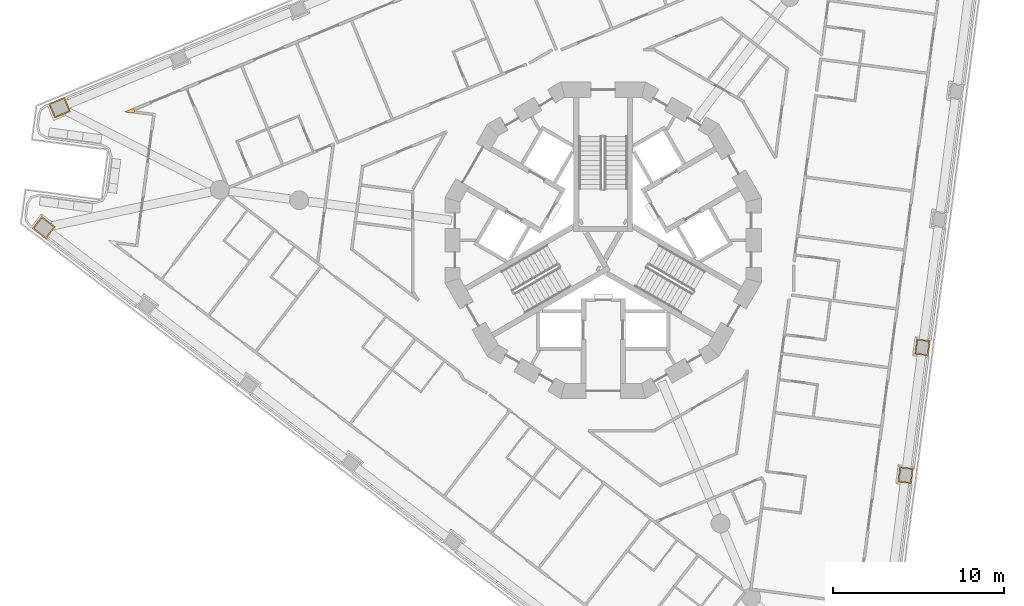
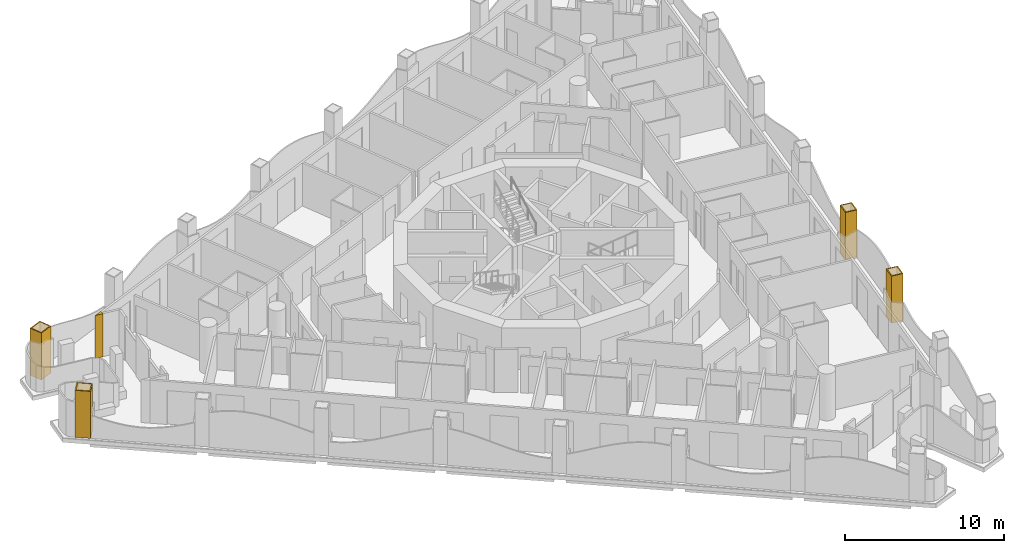
# One storey, part 14 of 17: 5 coverings.
"""IFC4 building model written with IfcOpenShell, lengths in metres."""

from ifc_helpers import new_model, si_unit, direction, frame, origin, place, context, subcontext, project, spatial, polyline, outline, extrude, material, layer, layer_set, type_object, element, save


model = new_model("IFC4")

# Units and contexts
model_context = context("Model", 3, precision=1e-05, world=origin(), true_north=direction((0.0, 1.0)))
body_context = subcontext(model_context, "Body", "Model", "MODEL_VIEW")
ifc_project = project(units=[si_unit("LENGTHUNIT", "METRE"), si_unit("AREAUNIT", "SQUARE_METRE"), si_unit("VOLUMEUNIT", "CUBIC_METRE"), si_unit("PLANEANGLEUNIT", "RADIAN"), si_unit("MASSUNIT", "GRAM", prefix="KILO")], contexts=[model_context])

# Site, building, storey
site_placement = place(None, origin())
site = spatial("IfcSite", under=ifc_project, at=site_placement, CompositionType="ELEMENT")
building_placement = place(site_placement, origin())
building = spatial("IfcBuilding", under=site, at=building_placement, Name="Trine Commons Tower", CompositionType="ELEMENT")
storey_placement = place(building_placement, frame((0.0, 0.0, 131.39990234375)))
storey = spatial("IfcBuildingStorey", under=building, at=storey_placement, Name="L33", CompositionType="ELEMENT", Elevation=131.39990234375)

# Coverings
ifc_material_1 = material(Name="Aluminium-framed insulated wall panel", Category="aluminium")
ifc_layer_1 = layer(ifc_material_1, 0.14990234375)
ifc_layer_set_1 = layer_set([ifc_layer_1], Name="Aluminium-framed insulated wall panel")
covering_type_1 = type_object("IfcCoveringType", Name="Glazing corner post, aluminium", PredefinedType="CLADDING", material=ifc_layer_set_1)
covering_1_placement = place(storey_placement, origin())
element("IfcCovering", 1, at=covering_1_placement, inside=storey, type_object=covering_type_1, Name="Glazing corner post 4-04", PredefinedType="CLADDING", context=body_context, shape_type="SweptSolid", body=[
    extrude(outline(polyline([(52.53369140625, 69.938720703125), (52.553466796875, 70.08740234375), (52.49609375, 70.22607421875), (51.978759765625, 70.01171875), (52.53369140625, 69.938720703125)])), origin(), (0.0, 0.0, 1.0), 3.300048828125),
])
ifc_material_2 = material(Name="Limestone, honed", Category="masonry")
ifc_layer_2 = layer(ifc_material_2, 0.074951171875)
ifc_layer_set_2 = layer_set([ifc_layer_2], Name="Limestone, honed")
covering_type_2 = type_object("IfcCoveringType", Name="Limestone column cladding 75", PredefinedType="CLADDING", material=ifc_layer_set_2)
covering_2_placement = place(storey_placement, origin())
element("IfcCovering", 2, at=covering_2_placement, inside=storey, type_object=covering_type_2, Name="Limestone pier cladding 4-08", PredefinedType="CLADDING", context=body_context, shape_type="SweptSolid", body=[
    extrude(outline(polyline([(47.1259765625, 63.898193359375), (46.578125, 63.18408203125), (47.371337890625, 62.5751953125), (47.919189453125, 63.289306640625), (47.1259765625, 63.898193359375)]), holes=[polyline([(47.139892578125, 63.79296875), (46.68310546875, 63.197998046875), (47.357666015625, 62.680419921875), (47.814208984375, 63.275390625), (47.139892578125, 63.79296875)])]), origin(), (0.0, 0.0, 1.0), 3.60009765625),
])
covering_3_placement = place(storey_placement, origin())
element("IfcCovering", 3, at=covering_3_placement, inside=storey, type_object=covering_type_2, Name="Limestone pier cladding 4-09", PredefinedType="CLADDING", context=body_context, shape_type="SweptSolid", body=[
    extrude(outline(polyline([(48.80810546875, 70.04052734375), (48.463623046875, 70.8720703125), (47.539794921875, 70.489501953125), (47.88427734375, 69.657958984375), (48.80810546875, 70.04052734375)]), holes=[polyline([(48.710205078125, 70.081298828125), (48.423095703125, 70.774169921875), (47.6376953125, 70.44873046875), (47.9248046875, 69.755859375), (48.710205078125, 70.081298828125)])]), origin(), (0.0, 0.0, 1.0), 3.60009765625),
])
covering_4_placement = place(storey_placement, origin())
element("IfcCovering", 4, at=covering_4_placement, inside=storey, type_object=covering_type_2, Name="Limestone pier cladding 4-21", PredefinedType="CLADDING", context=body_context, shape_type="SweptSolid", body=[
    extrude(outline(polyline([(99.150146484375, 56.6240234375), (98.35693359375, 56.728515625), (98.239501953125, 55.836181640625), (99.03271484375, 55.731689453125), (99.150146484375, 56.6240234375)]), holes=[polyline([(99.06591796875, 56.5595703125), (98.42138671875, 56.644287109375), (98.323486328125, 55.90087890625), (98.968017578125, 55.81591796875), (99.06591796875, 56.5595703125)])]), origin(), (0.0, 0.0, 1.0), 3.60009765625),
])
covering_5_placement = place(storey_placement, origin())
element("IfcCovering", 5, at=covering_5_placement, inside=storey, type_object=covering_type_2, Name="Limestone pier cladding 4-22", PredefinedType="CLADDING", context=body_context, shape_type="SweptSolid", body=[
    extrude(outline(polyline([(98.164306640625, 49.13671875), (97.371337890625, 49.2412109375), (97.25390625, 48.34912109375), (98.046875, 48.244384765625), (98.164306640625, 49.13671875)]), holes=[polyline([(98.080322265625, 49.072265625), (97.435791015625, 49.156982421875), (97.337890625, 48.41357421875), (97.982421875, 48.32861328125), (98.080322265625, 49.072265625)])]), origin(), (0.0, 0.0, 1.0), 3.60009765625),
])

save(model, "model.ifc")
